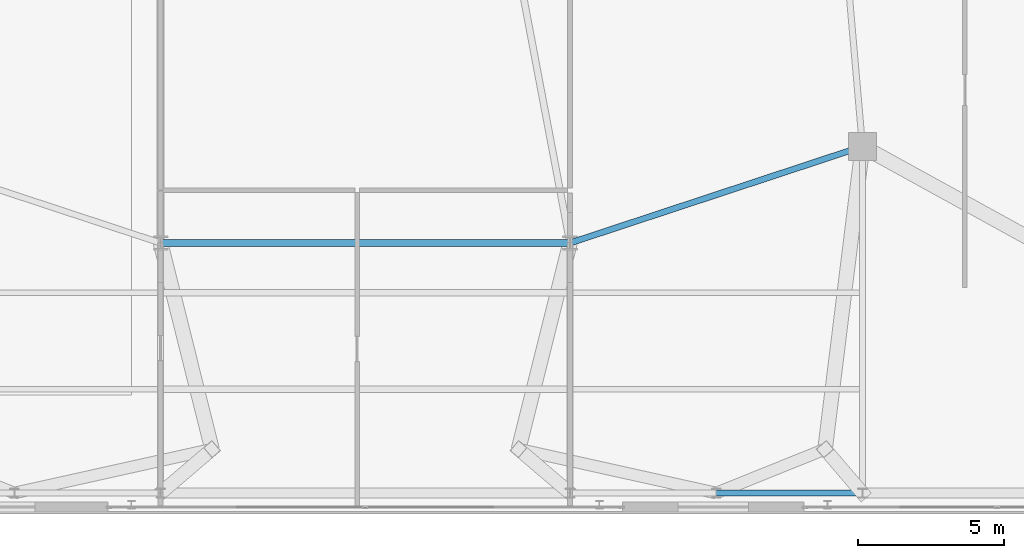
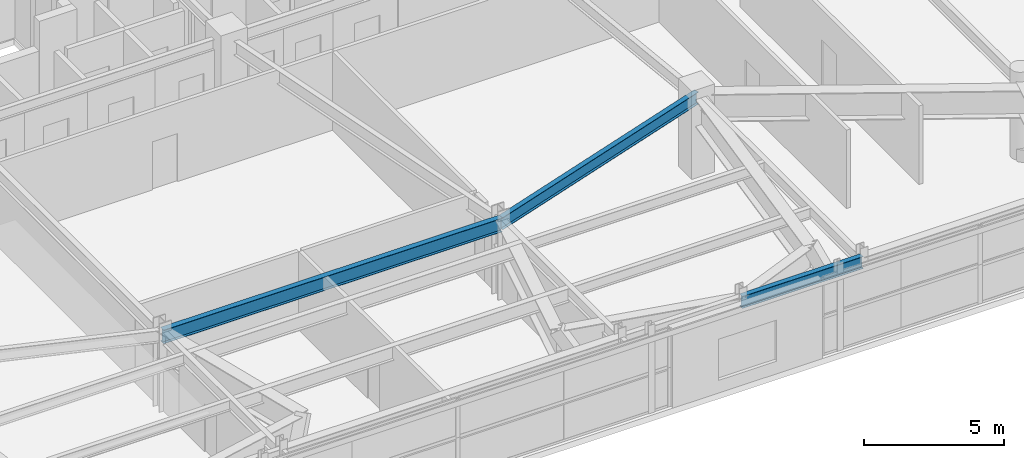
# One storey, part 14 of 27: 3 beams.
"""IFC4 building model written with IfcOpenShell, lengths in metres."""

from ifc_helpers import new_model, si_unit, direction, frame, origin, origin_2d, place, context, subcontext, project, spatial, i_section, extrude, source, transform, mapped, material, material_profile, profile_set, type_object, element, save


model = new_model("IFC4")

# Units and contexts
model_context = context("Model", 3, precision=1e-05, world=origin(), true_north=direction((0.0, 1.0)))
body_context = subcontext(model_context, "Body", "Model", "MODEL_VIEW")
ifc_project = project(units=[si_unit("LENGTHUNIT", "METRE"), si_unit("AREAUNIT", "SQUARE_METRE"), si_unit("VOLUMEUNIT", "CUBIC_METRE"), si_unit("PLANEANGLEUNIT", "RADIAN"), si_unit("MASSUNIT", "GRAM", prefix="KILO")], contexts=[model_context])

# Site, building, storey
site_placement = place(None, origin())
site = spatial("IfcSite", under=ifc_project, at=site_placement, CompositionType="ELEMENT")
building_placement = place(site_placement, origin())
building = spatial("IfcBuilding", under=site, at=building_placement, Name="Taldren Reach Tower", CompositionType="ELEMENT")
storey_placement = place(building_placement, frame((0.0, 0.0, 12.949951171875)))
storey = spatial("IfcBuildingStorey", under=building, at=storey_placement, Name="L03", CompositionType="ELEMENT", Elevation=12.949951171875)

# Beams
ifc_material = material(Name="Steel Gr 350 (350PLUS)", Category="steel")
ifc_material_profile_1 = material_profile(ifc_material, i_section(OverallWidth=0.208984375, OverallDepth=0.532958984375, WebThickness=0.01025390625, FlangeThickness=0.015625, at=origin_2d()), Name="530UB92.4")
ifc_profile_set_1 = profile_set([ifc_material_profile_1], Name="Steel Gr 350 (350PLUS)")
beam_type_1 = type_object("IfcBeamType", Name="BM-UB530A", PredefinedType="BEAM", material=ifc_profile_set_1)
shared_shape_1 = source(origin(), body_context, "Body", "SweptSolid", [
    extrude(i_section(OverallWidth=0.208984375, OverallDepth=0.532958984375, WebThickness=0.01025390625, FlangeThickness=0.015625, at=origin_2d()), origin(), (0.0, 0.0, 1.0), 10.530517578125),
])
beam_1_placement = place(storey_placement, frame((42.0, 9.199951171875, 3.16357421875), z_axis=(0.949627269203, 0.313381635689, 0.0), x_axis=(-0.313381635689, 0.949627269203, 0.0)))
element("IfcBeam", 1, at=beam_1_placement, inside=storey, type_object=beam_type_1, Name="Core-spine girder L03-SP12", PredefinedType="BEAM", context=body_context, shape_type="MappedRepresentation", body=[
    mapped(shared_shape_1, transform((0.0, 0.0, 0.0), scale=1.0)),
])
ifc_material_profile_2 = material_profile(ifc_material, i_section(OverallWidth=0.22802734375, OverallDepth=0.60205078125, WebThickness=0.010498046875, FlangeThickness=0.014892578125, at=origin_2d()), Name="610UB101")
ifc_profile_set_2 = profile_set([ifc_material_profile_2], Name="Steel Gr 350 (350PLUS)")
beam_type_2 = type_object("IfcBeamType", Name="BM-UB610B", PredefinedType="BEAM", material=ifc_profile_set_2)
shared_shape_2 = source(origin(), body_context, "Body", "SweptSolid", [
    extrude(i_section(OverallWidth=0.22802734375, OverallDepth=0.60205078125, WebThickness=0.010498046875, FlangeThickness=0.014892578125, at=origin_2d()), origin(), (0.0, 0.0, 1.0), 14.0),
])
beam_2_placement = place(storey_placement, frame((28.0, 9.199951171875, 3.129150390625), z_axis=(1.0, 0.0, 0.0), x_axis=(0.0, 1.0, 0.0)))
element("IfcBeam", 2, at=beam_2_placement, inside=storey, type_object=beam_type_2, Name="Core-spine girder L03-SP11", PredefinedType="BEAM", context=body_context, shape_type="MappedRepresentation", body=[
    mapped(shared_shape_2, transform((0.0, 0.0, 0.0), scale=1.0)),
])
ifc_material_profile_3 = material_profile(ifc_material, i_section(OverallWidth=0.208984375, OverallDepth=0.528076171875, WebThickness=0.009521484375, FlangeThickness=0.01318359375, at=origin_2d()), Name="530UB82.0")
ifc_profile_set_3 = profile_set([ifc_material_profile_3], Name="Steel Gr 350 (350PLUS)")
beam_type_3 = type_object("IfcBeamType", Name="SP-UB530B", PredefinedType="SPANDREL", material=ifc_profile_set_3)
shared_shape_3 = source(origin(), body_context, "Body", "SweptSolid", [
    extrude(i_section(OverallWidth=0.208984375, OverallDepth=0.528076171875, WebThickness=0.009521484375, FlangeThickness=0.01318359375, at=origin_2d()), origin(), (0.0, 0.0, 1.0), 5.0),
])
beam_3_placement = place(storey_placement, frame((47.0, 0.64990234375, 3.166015625), z_axis=(1.0, 0.0, 0.0), x_axis=(0.0, 1.0, 0.0)))
element("IfcBeam", 3, at=beam_3_placement, inside=storey, type_object=beam_type_3, Name="Podium beam L03-PD06", PredefinedType="SPANDREL", context=body_context, shape_type="MappedRepresentation", body=[
    mapped(shared_shape_3, transform((0.0, 0.0, 0.0), scale=1.0)),
])

save(model, "model.ifc")
